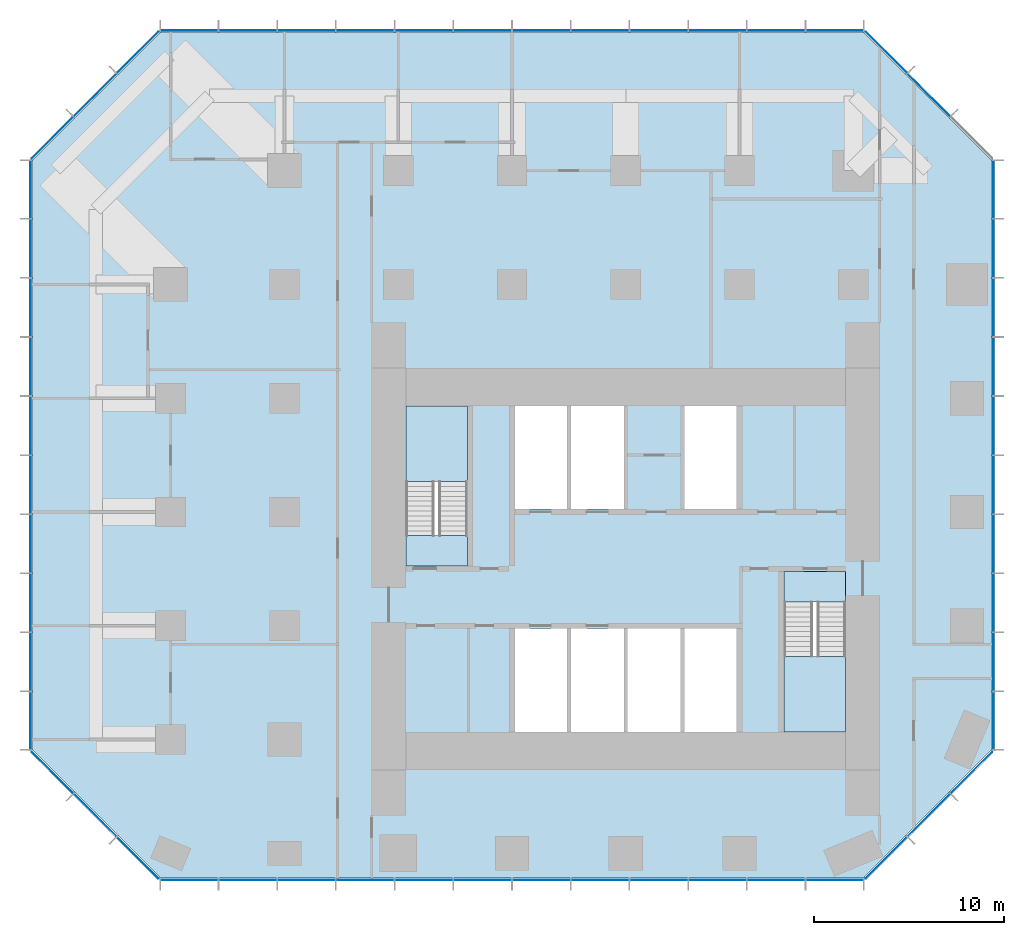
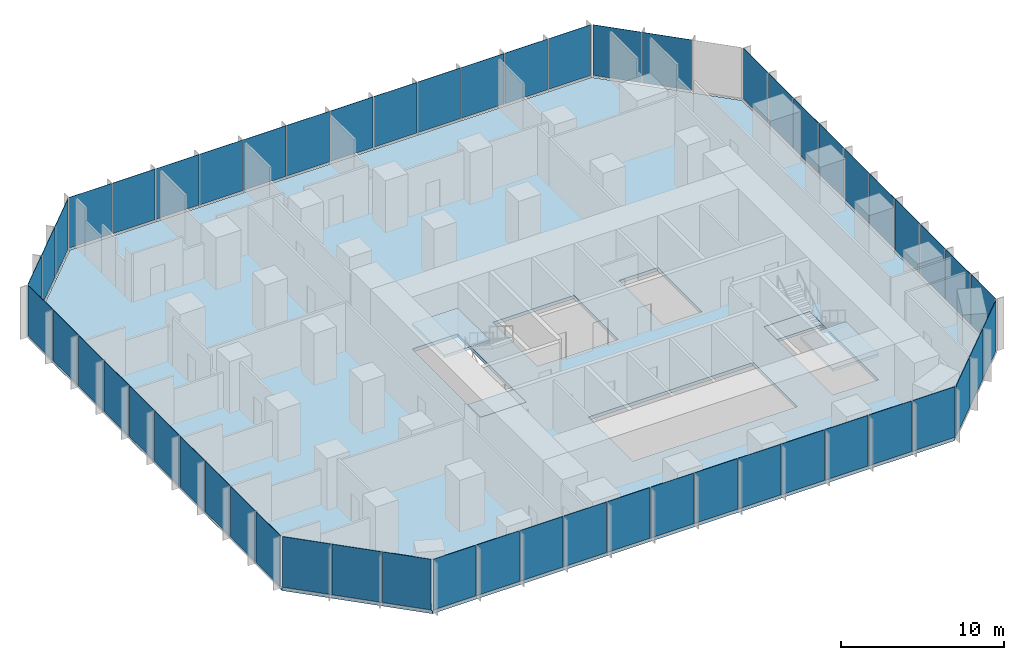
# One storey, part 7 of 11: 55 plates, 5 slabs, 10 elements without a shape of their own.
"""IFC4 building model written with IfcOpenShell, lengths in metres."""

from ifc_helpers import new_model, si_unit, direction, frame, origin, origin_2d, place, context, subcontext, project, spatial, polyline, rectangle, outline, extrude, material, layer, layer_set, type_object, element, aggregate, save


model = new_model("IFC4")

# Units and contexts
model_context = context("Model", 3, precision=1e-05, world=origin(), true_north=direction((0.0, 1.0)))
body_context = subcontext(model_context, "Body", "Model", "MODEL_VIEW")
ifc_project = project(units=[si_unit("LENGTHUNIT", "METRE"), si_unit("AREAUNIT", "SQUARE_METRE"), si_unit("VOLUMEUNIT", "CUBIC_METRE"), si_unit("PLANEANGLEUNIT", "RADIAN"), si_unit("MASSUNIT", "GRAM", prefix="KILO")], contexts=[model_context])

# Site, building, storey
site_placement = place(None, origin())
site = spatial("IfcSite", under=ifc_project, at=site_placement, CompositionType="ELEMENT")
building_placement = place(site_placement, origin())
building = spatial("IfcBuilding", under=site, at=building_placement, Name="Highveld Stack Headquarters", CompositionType="ELEMENT")
storey_placement = place(building_placement, frame((0.0, 0.0, 105.5)))
storey = spatial("IfcBuildingStorey", under=building, at=storey_placement, Name="L25", CompositionType="ELEMENT", Elevation=105.5)

# Curtain wall, plates
ifc_material_1 = material(Name="Aluminium bronze anodised", Category="aluminium")
ifc_layer_1 = layer(ifc_material_1, 0.199951171875)
ifc_layer_set_1 = layer_set([ifc_layer_1], Name="Aluminium bronze anodised")
curtain_wall_type_1 = type_object("IfcCurtainWallType", Name="CW1 TOWER UNITISED CURTAIN WALL", PredefinedType="NOTDEFINED", material=ifc_layer_set_1)
curtain_wall_1_placement = place(storey_placement, origin())
curtain_wall_1 = element("IfcCurtainWall", 1, at=curtain_wall_1_placement, inside=storey, type_object=curtain_wall_type_1, Name="Curtain wall CW1 L25 S", PredefinedType="NOTDEFINED")
ifc_material_2 = material(Name="Glass bronze tinted double glazed unit", Category="glass")
ifc_layer_2 = layer(ifc_material_2, 0.028076171875)
ifc_layer_set_2 = layer_set([ifc_layer_2], Name="Glass bronze tinted double glazed unit")
plate_type_1 = type_object("IfcPlateType", Name="CW1 PANEL BRONZE TINTED DOUBLE GLAZED UNIT", PredefinedType="CURTAIN_PANEL", material=ifc_layer_set_2)
plate_1_placement = place(storey_placement, frame((-17.015380859375, -13.39990234375, 0.10009765625), z_axis=(0.0, 0.0, 1.0), x_axis=(1.0, 0.0, 0.0)))
plate_1 = element("IfcPlate", 2, at=plate_1_placement, type_object=plate_type_1, Name="CW1 panel L25 1.1", PredefinedType="CURTAIN_PANEL", context=body_context, shape_type="SweptSolid", body=[
    extrude(rectangle(XDim=2.9990234375, YDim=0.028076171875, at=origin_2d()), origin(), (0.0, 0.0, 1.0), 3.800048828125),
])
plate_2_placement = place(storey_placement, frame((-13.934814453125, -13.39990234375, 0.10009765625), z_axis=(0.0, 0.0, 1.0), x_axis=(1.0, 0.0, 0.0)))
plate_2 = element("IfcPlate", 3, at=plate_2_placement, type_object=plate_type_1, Name="CW1 panel L25 2.1", PredefinedType="CURTAIN_PANEL", context=body_context, shape_type="SweptSolid", body=[
    extrude(rectangle(XDim=3.031494140625, YDim=0.028076171875, at=origin_2d()), origin(), (0.0, 0.0, 1.0), 3.800048828125),
])
plate_3_placement = place(storey_placement, frame((-10.83837890625, -13.39990234375, 0.10009765625), z_axis=(0.0, 0.0, 1.0), x_axis=(1.0, 0.0, 0.0)))
plate_3 = element("IfcPlate", 4, at=plate_3_placement, type_object=plate_type_1, Name="CW1 panel L25 3.1", PredefinedType="CURTAIN_PANEL", context=body_context, shape_type="SweptSolid", body=[
    extrude(rectangle(XDim=3.031494140625, YDim=0.028076171875, at=origin_2d()), origin(), (0.0, 0.0, 1.0), 3.800048828125),
])
plate_4_placement = place(storey_placement, frame((-7.74169921875, -13.39990234375, 0.10009765625), z_axis=(0.0, 0.0, 1.0), x_axis=(1.0, 0.0, 0.0)))
plate_4 = element("IfcPlate", 5, at=plate_4_placement, type_object=plate_type_1, Name="CW1 panel L25 4.1", PredefinedType="CURTAIN_PANEL", context=body_context, shape_type="SweptSolid", body=[
    extrude(rectangle(XDim=3.031494140625, YDim=0.028076171875, at=origin_2d()), origin(), (0.0, 0.0, 1.0), 3.800048828125),
])
plate_5_placement = place(storey_placement, frame((-4.64501953125, -13.39990234375, 0.10009765625), z_axis=(0.0, 0.0, 1.0), x_axis=(1.0, 0.0, 0.0)))
plate_5 = element("IfcPlate", 6, at=plate_5_placement, type_object=plate_type_1, Name="CW1 panel L25 5.1", PredefinedType="CURTAIN_PANEL", context=body_context, shape_type="SweptSolid", body=[
    extrude(rectangle(XDim=3.031494140625, YDim=0.028076171875, at=origin_2d()), origin(), (0.0, 0.0, 1.0), 3.800048828125),
])
plate_6_placement = place(storey_placement, frame((-1.54833984375, -13.39990234375, 0.10009765625), z_axis=(0.0, 0.0, 1.0), x_axis=(1.0, 0.0, 0.0)))
plate_6 = element("IfcPlate", 7, at=plate_6_placement, type_object=plate_type_1, Name="CW1 panel L25 6.1", PredefinedType="CURTAIN_PANEL", context=body_context, shape_type="SweptSolid", body=[
    extrude(rectangle(XDim=3.031494140625, YDim=0.028076171875, at=origin_2d()), origin(), (0.0, 0.0, 1.0), 3.800048828125),
])
plate_7_placement = place(storey_placement, frame((1.54833984375, -13.39990234375, 0.10009765625), z_axis=(0.0, 0.0, 1.0), x_axis=(1.0, 0.0, 0.0)))
plate_7 = element("IfcPlate", 8, at=plate_7_placement, type_object=plate_type_1, Name="CW1 panel L25 7.1", PredefinedType="CURTAIN_PANEL", context=body_context, shape_type="SweptSolid", body=[
    extrude(rectangle(XDim=3.03173828125, YDim=0.028076171875, at=origin_2d()), origin(), (0.0, 0.0, 1.0), 3.800048828125),
])
plate_8_placement = place(storey_placement, frame((4.64501953125, -13.39990234375, 0.10009765625), z_axis=(0.0, 0.0, 1.0), x_axis=(1.0, 0.0, 0.0)))
plate_8 = element("IfcPlate", 9, at=plate_8_placement, type_object=plate_type_1, Name="CW1 panel L25 8.1", PredefinedType="CURTAIN_PANEL", context=body_context, shape_type="SweptSolid", body=[
    extrude(rectangle(XDim=3.03173828125, YDim=0.028076171875, at=origin_2d()), origin(), (0.0, 0.0, 1.0), 3.800048828125),
])
plate_9_placement = place(storey_placement, frame((7.74169921875, -13.39990234375, 0.10009765625), z_axis=(0.0, 0.0, 1.0), x_axis=(1.0, 0.0, 0.0)))
plate_9 = element("IfcPlate", 10, at=plate_9_placement, type_object=plate_type_1, Name="CW1 panel L25 9.1", PredefinedType="CURTAIN_PANEL", context=body_context, shape_type="SweptSolid", body=[
    extrude(rectangle(XDim=3.03173828125, YDim=0.028076171875, at=origin_2d()), origin(), (0.0, 0.0, 1.0), 3.800048828125),
])
plate_10_placement = place(storey_placement, frame((10.83837890625, -13.39990234375, 0.10009765625), z_axis=(0.0, 0.0, 1.0), x_axis=(1.0, 0.0, 0.0)))
plate_10 = element("IfcPlate", 11, at=plate_10_placement, type_object=plate_type_1, Name="CW1 panel L25 10.1", PredefinedType="CURTAIN_PANEL", context=body_context, shape_type="SweptSolid", body=[
    extrude(rectangle(XDim=3.03173828125, YDim=0.028076171875, at=origin_2d()), origin(), (0.0, 0.0, 1.0), 3.800048828125),
])
plate_11_placement = place(storey_placement, frame((13.934814453125, -13.39990234375, 0.10009765625), z_axis=(0.0, 0.0, 1.0), x_axis=(1.0, 0.0, 0.0)))
plate_11 = element("IfcPlate", 12, at=plate_11_placement, type_object=plate_type_1, Name="CW1 panel L25 11.1", PredefinedType="CURTAIN_PANEL", context=body_context, shape_type="SweptSolid", body=[
    extrude(rectangle(XDim=3.03173828125, YDim=0.028076171875, at=origin_2d()), origin(), (0.0, 0.0, 1.0), 3.800048828125),
])
plate_12_placement = place(storey_placement, frame((17.015380859375, -13.39990234375, 0.10009765625), z_axis=(0.0, 0.0, 1.0), x_axis=(1.0, 0.0, 0.0)))
plate_12 = element("IfcPlate", 13, at=plate_12_placement, type_object=plate_type_1, Name="CW1 panel L25 12.1", PredefinedType="CURTAIN_PANEL", context=body_context, shape_type="SweptSolid", body=[
    extrude(rectangle(XDim=2.999267578125, YDim=0.028076171875, at=origin_2d()), origin(), (0.0, 0.0, 1.0), 3.800048828125),
])
aggregate(curtain_wall_1, [plate_1, plate_2, plate_3, plate_4, plate_5, plate_6, plate_7, plate_8, plate_9, plate_10, plate_11, plate_12])

curtain_wall_2_placement = place(storey_placement, origin())
curtain_wall_2 = element("IfcCurtainWall", 14, at=curtain_wall_2_placement, inside=storey, type_object=curtain_wall_type_1, Name="Curtain wall CW1 L25 E", PredefinedType="NOTDEFINED")
plate_13_placement = place(storey_placement, frame((25.39990234375, -5.005615234375, 0.10009765625), z_axis=(0.0, 0.0, 1.0), x_axis=(0.0, 1.0, 0.0)))
plate_13 = element("IfcPlate", 15, at=plate_13_placement, type_object=plate_type_1, Name="CW1 panel L25 1.1", PredefinedType="CURTAIN_PANEL", context=body_context, shape_type="SweptSolid", body=[
    extrude(rectangle(XDim=3.0185546875, YDim=0.028076171875, at=origin_2d()), origin(), (0.0, 0.0, 1.0), 3.800048828125),
])
plate_14_placement = place(storey_placement, frame((25.39990234375, -1.906005859375, 0.10009765625), z_axis=(0.0, 0.0, 1.0), x_axis=(0.0, 1.0, 0.0)))
plate_14 = element("IfcPlate", 16, at=plate_14_placement, type_object=plate_type_1, Name="CW1 panel L25 2.1", PredefinedType="CURTAIN_PANEL", context=body_context, shape_type="SweptSolid", body=[
    extrude(rectangle(XDim=3.051025390625, YDim=0.028076171875, at=origin_2d()), origin(), (0.0, 0.0, 1.0), 3.800048828125),
])
plate_15_placement = place(storey_placement, frame((25.39990234375, 1.2099609375, 0.10009765625), z_axis=(0.0, 0.0, 1.0), x_axis=(0.0, 1.0, 0.0)))
plate_15 = element("IfcPlate", 17, at=plate_15_placement, type_object=plate_type_1, Name="CW1 panel L25 3.1", PredefinedType="CURTAIN_PANEL", context=body_context, shape_type="SweptSolid", body=[
    extrude(rectangle(XDim=3.051025390625, YDim=0.028076171875, at=origin_2d()), origin(), (0.0, 0.0, 1.0), 3.800048828125),
])
plate_16_placement = place(storey_placement, frame((25.39990234375, 4.325927734375, 0.10009765625), z_axis=(0.0, 0.0, 1.0), x_axis=(0.0, 1.0, 0.0)))
plate_16 = element("IfcPlate", 18, at=plate_16_placement, type_object=plate_type_1, Name="CW1 panel L25 4.1", PredefinedType="CURTAIN_PANEL", context=body_context, shape_type="SweptSolid", body=[
    extrude(rectangle(XDim=3.051025390625, YDim=0.028076171875, at=origin_2d()), origin(), (0.0, 0.0, 1.0), 3.800048828125),
])
plate_17_placement = place(storey_placement, frame((25.39990234375, 7.44189453125, 0.10009765625), z_axis=(0.0, 0.0, 1.0), x_axis=(0.0, 1.0, 0.0)))
plate_17 = element("IfcPlate", 19, at=plate_17_placement, type_object=plate_type_1, Name="CW1 panel L25 5.1", PredefinedType="CURTAIN_PANEL", context=body_context, shape_type="SweptSolid", body=[
    extrude(rectangle(XDim=3.051025390625, YDim=0.028076171875, at=origin_2d()), origin(), (0.0, 0.0, 1.0), 3.800048828125),
])
plate_18_placement = place(storey_placement, frame((25.39990234375, 10.55810546875, 0.10009765625), z_axis=(0.0, 0.0, 1.0), x_axis=(0.0, 1.0, 0.0)))
plate_18 = element("IfcPlate", 20, at=plate_18_placement, type_object=plate_type_1, Name="CW1 panel L25 6.1", PredefinedType="CURTAIN_PANEL", context=body_context, shape_type="SweptSolid", body=[
    extrude(rectangle(XDim=3.051025390625, YDim=0.028076171875, at=origin_2d()), origin(), (0.0, 0.0, 1.0), 3.800048828125),
])
plate_19_placement = place(storey_placement, frame((25.39990234375, 13.674072265625, 0.10009765625), z_axis=(0.0, 0.0, 1.0), x_axis=(0.0, 1.0, 0.0)))
plate_19 = element("IfcPlate", 21, at=plate_19_placement, type_object=plate_type_1, Name="CW1 panel L25 7.1", PredefinedType="CURTAIN_PANEL", context=body_context, shape_type="SweptSolid", body=[
    extrude(rectangle(XDim=3.051025390625, YDim=0.028076171875, at=origin_2d()), origin(), (0.0, 0.0, 1.0), 3.800048828125),
])
plate_20_placement = place(storey_placement, frame((25.39990234375, 16.789794921875, 0.10009765625), z_axis=(0.0, 0.0, 1.0), x_axis=(0.0, 1.0, 0.0)))
plate_20 = element("IfcPlate", 22, at=plate_20_placement, type_object=plate_type_1, Name="CW1 panel L25 8.1", PredefinedType="CURTAIN_PANEL", context=body_context, shape_type="SweptSolid", body=[
    extrude(rectangle(XDim=3.051025390625, YDim=0.028076171875, at=origin_2d()), origin(), (0.0, 0.0, 1.0), 3.800048828125),
])
plate_21_placement = place(storey_placement, frame((25.39990234375, 19.906005859375, 0.10009765625), z_axis=(0.0, 0.0, 1.0), x_axis=(0.0, 1.0, 0.0)))
plate_21 = element("IfcPlate", 23, at=plate_21_placement, type_object=plate_type_1, Name="CW1 panel L25 9.1", PredefinedType="CURTAIN_PANEL", context=body_context, shape_type="SweptSolid", body=[
    extrude(rectangle(XDim=3.051025390625, YDim=0.028076171875, at=origin_2d()), origin(), (0.0, 0.0, 1.0), 3.800048828125),
])
plate_22_placement = place(storey_placement, frame((25.39990234375, 23.005615234375, 0.10009765625), z_axis=(0.0, 0.0, 1.0), x_axis=(0.0, 1.0, 0.0)))
plate_22 = element("IfcPlate", 24, at=plate_22_placement, type_object=plate_type_1, Name="CW1 panel L25 10.1", PredefinedType="CURTAIN_PANEL", context=body_context, shape_type="SweptSolid", body=[
    extrude(rectangle(XDim=3.0185546875, YDim=0.028076171875, at=origin_2d()), origin(), (0.0, 0.0, 1.0), 3.800048828125),
])
aggregate(curtain_wall_2, [plate_13, plate_14, plate_15, plate_16, plate_17, plate_18, plate_19, plate_20, plate_21, plate_22])

curtain_wall_3_placement = place(storey_placement, origin())
curtain_wall_3 = element("IfcCurtainWall", 25, at=curtain_wall_3_placement, inside=storey, type_object=curtain_wall_type_1, Name="Curtain wall CW1 L25 N", PredefinedType="NOTDEFINED")
plate_23_placement = place(storey_placement, frame((17.015380859375, 31.39990234375, 0.10009765625), z_axis=(0.0, 0.0, 1.0), x_axis=(-1.0, 0.0, 0.0)))
plate_23 = element("IfcPlate", 26, at=plate_23_placement, type_object=plate_type_1, Name="CW1 panel L25 1.1", PredefinedType="CURTAIN_PANEL", context=body_context, shape_type="SweptSolid", body=[
    extrude(rectangle(XDim=2.9990234375, YDim=0.028076171875, at=origin_2d()), origin(), (0.0, 0.0, 1.0), 3.800048828125),
])
plate_24_placement = place(storey_placement, frame((13.934814453125, 31.39990234375, 0.10009765625), z_axis=(0.0, 0.0, 1.0), x_axis=(-1.0, 0.0, 0.0)))
plate_24 = element("IfcPlate", 27, at=plate_24_placement, type_object=plate_type_1, Name="CW1 panel L25 2.1", PredefinedType="CURTAIN_PANEL", context=body_context, shape_type="SweptSolid", body=[
    extrude(rectangle(XDim=3.031494140625, YDim=0.028076171875, at=origin_2d()), origin(), (0.0, 0.0, 1.0), 3.800048828125),
])
plate_25_placement = place(storey_placement, frame((10.83837890625, 31.39990234375, 0.10009765625), z_axis=(0.0, 0.0, 1.0), x_axis=(-1.0, 0.0, 0.0)))
plate_25 = element("IfcPlate", 28, at=plate_25_placement, type_object=plate_type_1, Name="CW1 panel L25 3.1", PredefinedType="CURTAIN_PANEL", context=body_context, shape_type="SweptSolid", body=[
    extrude(rectangle(XDim=3.031494140625, YDim=0.028076171875, at=origin_2d()), origin(), (0.0, 0.0, 1.0), 3.800048828125),
])
plate_26_placement = place(storey_placement, frame((7.74169921875, 31.39990234375, 0.10009765625), z_axis=(0.0, 0.0, 1.0), x_axis=(-1.0, 0.0, 0.0)))
plate_26 = element("IfcPlate", 29, at=plate_26_placement, type_object=plate_type_1, Name="CW1 panel L25 4.1", PredefinedType="CURTAIN_PANEL", context=body_context, shape_type="SweptSolid", body=[
    extrude(rectangle(XDim=3.031494140625, YDim=0.028076171875, at=origin_2d()), origin(), (0.0, 0.0, 1.0), 3.800048828125),
])
plate_27_placement = place(storey_placement, frame((4.64501953125, 31.39990234375, 0.10009765625), z_axis=(0.0, 0.0, 1.0), x_axis=(-1.0, 0.0, 0.0)))
plate_27 = element("IfcPlate", 30, at=plate_27_placement, type_object=plate_type_1, Name="CW1 panel L25 5.1", PredefinedType="CURTAIN_PANEL", context=body_context, shape_type="SweptSolid", body=[
    extrude(rectangle(XDim=3.031494140625, YDim=0.028076171875, at=origin_2d()), origin(), (0.0, 0.0, 1.0), 3.800048828125),
])
plate_28_placement = place(storey_placement, frame((1.54833984375, 31.39990234375, 0.10009765625), z_axis=(0.0, 0.0, 1.0), x_axis=(-1.0, 0.0, 0.0)))
plate_28 = element("IfcPlate", 31, at=plate_28_placement, type_object=plate_type_1, Name="CW1 panel L25 6.1", PredefinedType="CURTAIN_PANEL", context=body_context, shape_type="SweptSolid", body=[
    extrude(rectangle(XDim=3.031494140625, YDim=0.028076171875, at=origin_2d()), origin(), (0.0, 0.0, 1.0), 3.800048828125),
])
plate_29_placement = place(storey_placement, frame((-1.54833984375, 31.39990234375, 0.10009765625), z_axis=(0.0, 0.0, 1.0), x_axis=(-1.0, 0.0, 0.0)))
plate_29 = element("IfcPlate", 32, at=plate_29_placement, type_object=plate_type_1, Name="CW1 panel L25 7.1", PredefinedType="CURTAIN_PANEL", context=body_context, shape_type="SweptSolid", body=[
    extrude(rectangle(XDim=3.03173828125, YDim=0.028076171875, at=origin_2d()), origin(), (0.0, 0.0, 1.0), 3.800048828125),
])
plate_30_placement = place(storey_placement, frame((-4.64501953125, 31.39990234375, 0.10009765625), z_axis=(0.0, 0.0, 1.0), x_axis=(-1.0, 0.0, 0.0)))
plate_30 = element("IfcPlate", 33, at=plate_30_placement, type_object=plate_type_1, Name="CW1 panel L25 8.1", PredefinedType="CURTAIN_PANEL", context=body_context, shape_type="SweptSolid", body=[
    extrude(rectangle(XDim=3.03173828125, YDim=0.028076171875, at=origin_2d()), origin(), (0.0, 0.0, 1.0), 3.800048828125),
])
plate_31_placement = place(storey_placement, frame((-7.74169921875, 31.39990234375, 0.10009765625), z_axis=(0.0, 0.0, 1.0), x_axis=(-1.0, 0.0, 0.0)))
plate_31 = element("IfcPlate", 34, at=plate_31_placement, type_object=plate_type_1, Name="CW1 panel L25 9.1", PredefinedType="CURTAIN_PANEL", context=body_context, shape_type="SweptSolid", body=[
    extrude(rectangle(XDim=3.03173828125, YDim=0.028076171875, at=origin_2d()), origin(), (0.0, 0.0, 1.0), 3.800048828125),
])
plate_32_placement = place(storey_placement, frame((-10.83837890625, 31.39990234375, 0.10009765625), z_axis=(0.0, 0.0, 1.0), x_axis=(-1.0, 0.0, 0.0)))
plate_32 = element("IfcPlate", 35, at=plate_32_placement, type_object=plate_type_1, Name="CW1 panel L25 10.1", PredefinedType="CURTAIN_PANEL", context=body_context, shape_type="SweptSolid", body=[
    extrude(rectangle(XDim=3.03173828125, YDim=0.028076171875, at=origin_2d()), origin(), (0.0, 0.0, 1.0), 3.800048828125),
])
plate_33_placement = place(storey_placement, frame((-13.934814453125, 31.39990234375, 0.10009765625), z_axis=(0.0, 0.0, 1.0), x_axis=(-1.0, 0.0, 0.0)))
plate_33 = element("IfcPlate", 36, at=plate_33_placement, type_object=plate_type_1, Name="CW1 panel L25 11.1", PredefinedType="CURTAIN_PANEL", context=body_context, shape_type="SweptSolid", body=[
    extrude(rectangle(XDim=3.03173828125, YDim=0.028076171875, at=origin_2d()), origin(), (0.0, 0.0, 1.0), 3.800048828125),
])
plate_34_placement = place(storey_placement, frame((-17.015380859375, 31.39990234375, 0.10009765625), z_axis=(0.0, 0.0, 1.0), x_axis=(-1.0, 0.0, 0.0)))
plate_34 = element("IfcPlate", 37, at=plate_34_placement, type_object=plate_type_1, Name="CW1 panel L25 12.1", PredefinedType="CURTAIN_PANEL", context=body_context, shape_type="SweptSolid", body=[
    extrude(rectangle(XDim=2.999267578125, YDim=0.028076171875, at=origin_2d()), origin(), (0.0, 0.0, 1.0), 3.800048828125),
])
aggregate(curtain_wall_3, [plate_23, plate_24, plate_25, plate_26, plate_27, plate_28, plate_29, plate_30, plate_31, plate_32, plate_33, plate_34])

curtain_wall_4_placement = place(storey_placement, origin())
curtain_wall_4 = element("IfcCurtainWall", 38, at=curtain_wall_4_placement, inside=storey, type_object=curtain_wall_type_1, Name="Curtain wall CW1 L25 W", PredefinedType="NOTDEFINED")
plate_35_placement = place(storey_placement, frame((-25.39990234375, 23.005615234375, 0.10009765625), z_axis=(0.0, 0.0, 1.0), x_axis=(0.0, -1.0, 0.0)))
plate_35 = element("IfcPlate", 39, at=plate_35_placement, type_object=plate_type_1, Name="CW1 panel L25 1.1", PredefinedType="CURTAIN_PANEL", context=body_context, shape_type="SweptSolid", body=[
    extrude(rectangle(XDim=3.0185546875, YDim=0.028076171875, at=origin_2d()), origin(), (0.0, 0.0, 1.0), 3.800048828125),
])
plate_36_placement = place(storey_placement, frame((-25.39990234375, 19.906005859375, 0.10009765625), z_axis=(0.0, 0.0, 1.0), x_axis=(0.0, -1.0, 0.0)))
plate_36 = element("IfcPlate", 40, at=plate_36_placement, type_object=plate_type_1, Name="CW1 panel L25 2.1", PredefinedType="CURTAIN_PANEL", context=body_context, shape_type="SweptSolid", body=[
    extrude(rectangle(XDim=3.051025390625, YDim=0.028076171875, at=origin_2d()), origin(), (0.0, 0.0, 1.0), 3.800048828125),
])
plate_37_placement = place(storey_placement, frame((-25.39990234375, 16.7900390625, 0.10009765625), z_axis=(0.0, 0.0, 1.0), x_axis=(0.0, -1.0, 0.0)))
plate_37 = element("IfcPlate", 41, at=plate_37_placement, type_object=plate_type_1, Name="CW1 panel L25 3.1", PredefinedType="CURTAIN_PANEL", context=body_context, shape_type="SweptSolid", body=[
    extrude(rectangle(XDim=3.051025390625, YDim=0.028076171875, at=origin_2d()), origin(), (0.0, 0.0, 1.0), 3.800048828125),
])
plate_38_placement = place(storey_placement, frame((-25.39990234375, 13.674072265625, 0.10009765625), z_axis=(0.0, 0.0, 1.0), x_axis=(0.0, -1.0, 0.0)))
plate_38 = element("IfcPlate", 42, at=plate_38_placement, type_object=plate_type_1, Name="CW1 panel L25 4.1", PredefinedType="CURTAIN_PANEL", context=body_context, shape_type="SweptSolid", body=[
    extrude(rectangle(XDim=3.051025390625, YDim=0.028076171875, at=origin_2d()), origin(), (0.0, 0.0, 1.0), 3.800048828125),
])
plate_39_placement = place(storey_placement, frame((-25.39990234375, 10.55810546875, 0.10009765625), z_axis=(0.0, 0.0, 1.0), x_axis=(0.0, -1.0, 0.0)))
plate_39 = element("IfcPlate", 43, at=plate_39_placement, type_object=plate_type_1, Name="CW1 panel L25 5.1", PredefinedType="CURTAIN_PANEL", context=body_context, shape_type="SweptSolid", body=[
    extrude(rectangle(XDim=3.051025390625, YDim=0.028076171875, at=origin_2d()), origin(), (0.0, 0.0, 1.0), 3.800048828125),
])
plate_40_placement = place(storey_placement, frame((-25.39990234375, 7.44189453125, 0.10009765625), z_axis=(0.0, 0.0, 1.0), x_axis=(0.0, -1.0, 0.0)))
plate_40 = element("IfcPlate", 44, at=plate_40_placement, type_object=plate_type_1, Name="CW1 panel L25 6.1", PredefinedType="CURTAIN_PANEL", context=body_context, shape_type="SweptSolid", body=[
    extrude(rectangle(XDim=3.051025390625, YDim=0.028076171875, at=origin_2d()), origin(), (0.0, 0.0, 1.0), 3.800048828125),
])
plate_41_placement = place(storey_placement, frame((-25.39990234375, 4.325927734375, 0.10009765625), z_axis=(0.0, 0.0, 1.0), x_axis=(0.0, -1.0, 0.0)))
plate_41 = element("IfcPlate", 45, at=plate_41_placement, type_object=plate_type_1, Name="CW1 panel L25 7.1", PredefinedType="CURTAIN_PANEL", context=body_context, shape_type="SweptSolid", body=[
    extrude(rectangle(XDim=3.051025390625, YDim=0.028076171875, at=origin_2d()), origin(), (0.0, 0.0, 1.0), 3.800048828125),
])
plate_42_placement = place(storey_placement, frame((-25.39990234375, 1.210205078125, 0.10009765625), z_axis=(0.0, 0.0, 1.0), x_axis=(0.0, -1.0, 0.0)))
plate_42 = element("IfcPlate", 46, at=plate_42_placement, type_object=plate_type_1, Name="CW1 panel L25 8.1", PredefinedType="CURTAIN_PANEL", context=body_context, shape_type="SweptSolid", body=[
    extrude(rectangle(XDim=3.051025390625, YDim=0.028076171875, at=origin_2d()), origin(), (0.0, 0.0, 1.0), 3.800048828125),
])
plate_43_placement = place(storey_placement, frame((-25.39990234375, -1.906005859375, 0.10009765625), z_axis=(0.0, 0.0, 1.0), x_axis=(0.0, -1.0, 0.0)))
plate_43 = element("IfcPlate", 47, at=plate_43_placement, type_object=plate_type_1, Name="CW1 panel L25 9.1", PredefinedType="CURTAIN_PANEL", context=body_context, shape_type="SweptSolid", body=[
    extrude(rectangle(XDim=3.051025390625, YDim=0.028076171875, at=origin_2d()), origin(), (0.0, 0.0, 1.0), 3.800048828125),
])
plate_44_placement = place(storey_placement, frame((-25.39990234375, -5.005615234375, 0.10009765625), z_axis=(0.0, 0.0, 1.0), x_axis=(0.0, -1.0, 0.0)))
plate_44 = element("IfcPlate", 48, at=plate_44_placement, type_object=plate_type_1, Name="CW1 panel L25 10.1", PredefinedType="CURTAIN_PANEL", context=body_context, shape_type="SweptSolid", body=[
    extrude(rectangle(XDim=3.0185546875, YDim=0.028076171875, at=origin_2d()), origin(), (0.0, 0.0, 1.0), 3.800048828125),
])
aggregate(curtain_wall_4, [plate_35, plate_36, plate_37, plate_38, plate_39, plate_40, plate_41, plate_42, plate_43, plate_44])

ifc_material_3 = material(Name="Aluminium bronze anodised", Category="aluminium")
ifc_layer_3 = layer(ifc_material_3, 0.199951171875)
ifc_layer_set_3 = layer_set([ifc_layer_3], Name="Aluminium bronze anodised")
curtain_wall_type_2 = type_object("IfcCurtainWallType", Name="CW2 TOWER CHAMFER UNITISED CURTAIN WALL", PredefinedType="NOTDEFINED", material=ifc_layer_set_3)
curtain_wall_5_placement = place(storey_placement, origin())
curtain_wall_5 = element("IfcCurtainWall", 49, at=curtain_wall_5_placement, inside=storey, type_object=curtain_wall_type_2, Name="Curtain wall CW2 L25 SE", PredefinedType="NOTDEFINED")
ifc_material_4 = material(Name="Glass bronze tinted double glazed unit", Category="glass")
ifc_layer_4 = layer(ifc_material_4, 0.028076171875)
ifc_layer_set_4 = layer_set([ifc_layer_4], Name="Glass bronze tinted double glazed unit")
plate_type_2 = type_object("IfcPlateType", Name="CW2 PANEL BRONZE TINTED DOUBLE GLAZED UNIT", PredefinedType="CURTAIN_PANEL", material=ifc_layer_set_4)
plate_45_placement = place(storey_placement, frame((19.740478515625, -12.239501953125, 0.10009765625), z_axis=(0.0, 0.0, 1.0), x_axis=(0.707106781187, 0.707106781187, 0.0)))
plate_45 = element("IfcPlate", 50, at=plate_45_placement, type_object=plate_type_2, Name="CW2 panel L25 1.1", PredefinedType="CURTAIN_PANEL", context=body_context, shape_type="SweptSolid", body=[
    extrude(rectangle(XDim=3.08251953125, YDim=0.028076171875, at=origin_2d()), origin(), (0.0, 0.0, 1.0), 3.800048828125),
])
plate_46_placement = place(storey_placement, frame((21.989990234375, -9.989990234375, 0.10009765625), z_axis=(0.0, 0.0, 1.0), x_axis=(0.707106781187, 0.707106781187, 0.0)))
plate_46 = element("IfcPlate", 51, at=plate_46_placement, type_object=plate_type_2, Name="CW2 panel L25 2.1", PredefinedType="CURTAIN_PANEL", context=body_context, shape_type="SweptSolid", body=[
    extrude(rectangle(XDim=3.14990234375, YDim=0.028076171875, at=origin_2d()), origin(), (0.0, 0.0, 1.0), 3.800048828125),
])
plate_47_placement = place(storey_placement, frame((24.239501953125, -7.740478515625, 0.10009765625), z_axis=(0.0, 0.0, 1.0), x_axis=(0.707106781187, 0.707106781187, 0.0)))
plate_47 = element("IfcPlate", 52, at=plate_47_placement, type_object=plate_type_2, Name="CW2 panel L25 3.1", PredefinedType="CURTAIN_PANEL", context=body_context, shape_type="SweptSolid", body=[
    extrude(rectangle(XDim=3.08251953125, YDim=0.028076171875, at=origin_2d()), origin(), (0.0, 0.0, 1.0), 3.800048828125),
])
aggregate(curtain_wall_5, [plate_45, plate_46, plate_47])

curtain_wall_6_placement = place(storey_placement, origin())
curtain_wall_6 = element("IfcCurtainWall", 53, at=curtain_wall_6_placement, inside=storey, type_object=curtain_wall_type_2, Name="Curtain wall CW2 L25 NE", PredefinedType="NOTDEFINED")
plate_48_placement = place(storey_placement, frame((21.989990234375, 27.989990234375, 0.10009765625), z_axis=(0.0, 0.0, 1.0), x_axis=(-0.707106781187, 0.707106781187, 0.0)))
plate_48 = element("IfcPlate", 54, at=plate_48_placement, type_object=plate_type_2, Name="CW2 panel L25 2.1", PredefinedType="CURTAIN_PANEL", context=body_context, shape_type="SweptSolid", body=[
    extrude(rectangle(XDim=3.14990234375, YDim=0.028076171875, at=origin_2d()), origin(), (0.0, 0.0, 1.0), 3.800048828125),
])
plate_49_placement = place(storey_placement, frame((19.740478515625, 30.239501953125, 0.10009765625), z_axis=(0.0, 0.0, 1.0), x_axis=(-0.707106781187, 0.707106781187, 0.0)))
plate_49 = element("IfcPlate", 55, at=plate_49_placement, type_object=plate_type_2, Name="CW2 panel L25 3.1", PredefinedType="CURTAIN_PANEL", context=body_context, shape_type="SweptSolid", body=[
    extrude(rectangle(XDim=3.08251953125, YDim=0.028076171875, at=origin_2d()), origin(), (0.0, 0.0, 1.0), 3.800048828125),
])
aggregate(curtain_wall_6, [plate_48, plate_49])

curtain_wall_7_placement = place(storey_placement, origin())
curtain_wall_7 = element("IfcCurtainWall", 56, at=curtain_wall_7_placement, inside=storey, type_object=curtain_wall_type_2, Name="Curtain wall CW2 L25 NW", PredefinedType="NOTDEFINED")
plate_50_placement = place(storey_placement, frame((-19.740478515625, 30.239501953125, 0.10009765625), z_axis=(0.0, 0.0, 1.0), x_axis=(-0.707106781187, -0.707106781187, 0.0)))
plate_50 = element("IfcPlate", 57, at=plate_50_placement, type_object=plate_type_2, Name="CW2 panel L25 1.1", PredefinedType="CURTAIN_PANEL", context=body_context, shape_type="SweptSolid", body=[
    extrude(rectangle(XDim=3.08251953125, YDim=0.028076171875, at=origin_2d()), origin(), (0.0, 0.0, 1.0), 3.800048828125),
])
plate_51_placement = place(storey_placement, frame((-21.989990234375, 27.989990234375, 0.10009765625), z_axis=(0.0, 0.0, 1.0), x_axis=(-0.707106781187, -0.707106781187, 0.0)))
plate_51 = element("IfcPlate", 58, at=plate_51_placement, type_object=plate_type_2, Name="CW2 panel L25 2.1", PredefinedType="CURTAIN_PANEL", context=body_context, shape_type="SweptSolid", body=[
    extrude(rectangle(XDim=3.14990234375, YDim=0.028076171875, at=origin_2d()), origin(), (0.0, 0.0, 1.0), 3.800048828125),
])
plate_52_placement = place(storey_placement, frame((-24.239501953125, 25.740478515625, 0.10009765625), z_axis=(0.0, 0.0, 1.0), x_axis=(-0.707106781187, -0.707106781187, 0.0)))
plate_52 = element("IfcPlate", 59, at=plate_52_placement, type_object=plate_type_2, Name="CW2 panel L25 3.1", PredefinedType="CURTAIN_PANEL", context=body_context, shape_type="SweptSolid", body=[
    extrude(rectangle(XDim=3.08251953125, YDim=0.028076171875, at=origin_2d()), origin(), (0.0, 0.0, 1.0), 3.800048828125),
])
aggregate(curtain_wall_7, [plate_50, plate_51, plate_52])

curtain_wall_8_placement = place(storey_placement, origin())
curtain_wall_8 = element("IfcCurtainWall", 60, at=curtain_wall_8_placement, inside=storey, type_object=curtain_wall_type_2, Name="Curtain wall CW2 L25 SW", PredefinedType="NOTDEFINED")
plate_53_placement = place(storey_placement, frame((-24.239501953125, -7.740478515625, 0.10009765625), z_axis=(0.0, 0.0, 1.0), x_axis=(0.707106781187, -0.707106781187, 0.0)))
plate_53 = element("IfcPlate", 61, at=plate_53_placement, type_object=plate_type_2, Name="CW2 panel L25 1.1", PredefinedType="CURTAIN_PANEL", context=body_context, shape_type="SweptSolid", body=[
    extrude(rectangle(XDim=3.08251953125, YDim=0.028076171875, at=origin_2d()), origin(), (0.0, 0.0, 1.0), 3.800048828125),
])
plate_54_placement = place(storey_placement, frame((-21.989990234375, -9.989990234375, 0.10009765625), z_axis=(0.0, 0.0, 1.0), x_axis=(0.707106781187, -0.707106781187, 0.0)))
plate_54 = element("IfcPlate", 62, at=plate_54_placement, type_object=plate_type_2, Name="CW2 panel L25 2.1", PredefinedType="CURTAIN_PANEL", context=body_context, shape_type="SweptSolid", body=[
    extrude(rectangle(XDim=3.14990234375, YDim=0.028076171875, at=origin_2d()), origin(), (0.0, 0.0, 1.0), 3.800048828125),
])
plate_55_placement = place(storey_placement, frame((-19.740478515625, -12.239501953125, 0.10009765625), z_axis=(0.0, 0.0, 1.0), x_axis=(0.707106781187, -0.707106781187, 0.0)))
plate_55 = element("IfcPlate", 63, at=plate_55_placement, type_object=plate_type_2, Name="CW2 panel L25 3.1", PredefinedType="CURTAIN_PANEL", context=body_context, shape_type="SweptSolid", body=[
    extrude(rectangle(XDim=3.08251953125, YDim=0.028076171875, at=origin_2d()), origin(), (0.0, 0.0, 1.0), 3.800048828125),
])
aggregate(curtain_wall_8, [plate_53, plate_54, plate_55])

# Slab
ifc_material_5 = material(Name="Concrete C60/75", Category="concrete")
ifc_layer_5 = layer(ifc_material_5, 0.25)
ifc_layer_set_5 = layer_set([ifc_layer_5], Name="Concrete C60/75")
slab_type_1 = type_object("IfcSlabType", Name="PT FLAT SLAB 250", PredefinedType="FLOOR", material=ifc_layer_set_5)
slab_1_placement = place(storey_placement, frame((0.0, 0.0, -0.25)))
element("IfcSlab", 64, at=slab_1_placement, inside=storey, type_object=slab_type_1, Name="Floor slab L25", PredefinedType="FLOOR", context=body_context, shape_type="SweptSolid", body=[
    extrude(outline(polyline([(-18.53857421875, -13.300048828125), (18.53857421875, -13.300048828125), (25.300048828125, -6.53857421875), (25.300048828125, 24.53857421875), (18.53857421875, 31.300048828125), (-18.53857421875, 31.300048828125), (-25.300048828125, 24.53857421875), (-25.300048828125, -6.53857421875), (-18.53857421875, -13.300048828125)]), holes=[polyline([(0.14990234375, 6.14990234375), (5.89990234375, 6.14990234375), (5.89990234375, 11.60009765625), (0.14990234375, 11.60009765625), (0.14990234375, 6.14990234375)]), polyline([(9.10009765625, 6.14990234375), (11.85009765625, 6.14990234375), (11.85009765625, 11.60009765625), (9.10009765625, 11.60009765625), (9.10009765625, 6.14990234375)]), polyline([(0.14990234375, -5.60009765625), (11.85009765625, -5.60009765625), (11.85009765625, -0.14990234375), (0.14990234375, -0.14990234375), (0.14990234375, -5.60009765625)]), polyline([(-5.60009765625, 3.14990234375), (-2.35009765625, 3.14990234375), (-2.35009765625, 11.60009765625), (-5.60009765625, 11.60009765625), (-5.60009765625, 3.14990234375)]), polyline([(14.35009765625, -5.60009765625), (17.60009765625, -5.60009765625), (17.60009765625, 2.85009765625), (14.35009765625, 2.85009765625), (14.35009765625, -5.60009765625)])]), origin(), (0.0, 0.0, 1.0), 0.25),
])

# Stair, slabs
ifc_material_6 = material(Name="Concrete C40/50, precast", Category="concrete")
stair_type_1 = type_object("IfcStairType", Name="STAIR S1 HALF TURN 1500", PredefinedType="HALF_TURN_STAIR", material=ifc_material_6)
stair_1_placement = place(storey_placement, origin())
stair_1 = element("IfcStair", 65, at=stair_1_placement, inside=storey, type_object=stair_type_1, Name="Stair S1 L25", PredefinedType="HALF_TURN_STAIR")
ifc_material_7 = material(Name="Concrete C40/50, precast", Category="concrete")
ifc_layer_6 = layer(ifc_material_7, 0.199951171875)
ifc_layer_set_6 = layer_set([ifc_layer_6], Name="Concrete C40/50, precast")
slab_type_2 = type_object("IfcSlabType", Name="STAIR LANDING 200", PredefinedType="LANDING", material=ifc_layer_set_6)
slab_2_placement = place(storey_placement, frame((0.0, 0.0, 1.75)))
slab_2 = element("IfcSlab", 66, at=slab_2_placement, type_object=slab_type_2, Name="S1 landing 1", PredefinedType="LANDING", context=body_context, shape_type="SweptSolid", body=[
    extrude(outline(polyline([(-5.60009765625, 7.610107421875), (-2.35009765625, 7.610107421875), (-2.35009765625, 11.60009765625), (-5.60009765625, 11.60009765625), (-5.60009765625, 7.610107421875)])), origin(), (0.0, 0.0, 1.0), 0.199951171875),
])
slab_3_placement = place(storey_placement, frame((0.0, 0.0, -0.199951171875)))
slab_3 = element("IfcSlab", 67, at=slab_3_placement, type_object=slab_type_2, Name="S1 landing 2", PredefinedType="LANDING", context=body_context, shape_type="SweptSolid", body=[
    extrude(outline(polyline([(-5.60009765625, 3.14990234375), (-2.35009765625, 3.14990234375), (-2.35009765625, 4.75), (-5.60009765625, 4.75), (-5.60009765625, 3.14990234375)])), origin(), (0.0, 0.0, 1.0), 0.199951171875),
])
aggregate(stair_1, [slab_2, slab_3])

ifc_material_8 = material(Name="Concrete C40/50, precast", Category="concrete")
stair_type_2 = type_object("IfcStairType", Name="STAIR S2 HALF TURN 1500", PredefinedType="HALF_TURN_STAIR", material=ifc_material_8)
stair_2_placement = place(storey_placement, origin())
stair_2 = element("IfcStair", 68, at=stair_2_placement, inside=storey, type_object=stair_type_2, Name="Stair S2 L25", PredefinedType="HALF_TURN_STAIR")
slab_4_placement = place(storey_placement, frame((0.0, 0.0, 1.75)))
slab_4 = element("IfcSlab", 69, at=slab_4_placement, type_object=slab_type_2, Name="S2 landing 1", PredefinedType="LANDING", context=body_context, shape_type="SweptSolid", body=[
    extrude(outline(polyline([(14.35009765625, -5.60009765625), (17.60009765625, -5.60009765625), (17.60009765625, -1.610107421875), (14.35009765625, -1.610107421875), (14.35009765625, -5.60009765625)])), origin(), (0.0, 0.0, 1.0), 0.199951171875),
])
slab_5_placement = place(storey_placement, frame((0.0, 0.0, -0.199951171875)))
slab_5 = element("IfcSlab", 70, at=slab_5_placement, type_object=slab_type_2, Name="S2 landing 2", PredefinedType="LANDING", context=body_context, shape_type="SweptSolid", body=[
    extrude(outline(polyline([(14.35009765625, 1.25), (17.60009765625, 1.25), (17.60009765625, 2.85009765625), (14.35009765625, 2.85009765625), (14.35009765625, 1.25)])), origin(), (0.0, 0.0, 1.0), 0.199951171875),
])
aggregate(stair_2, [slab_4, slab_5])

save(model, "model.ifc")
